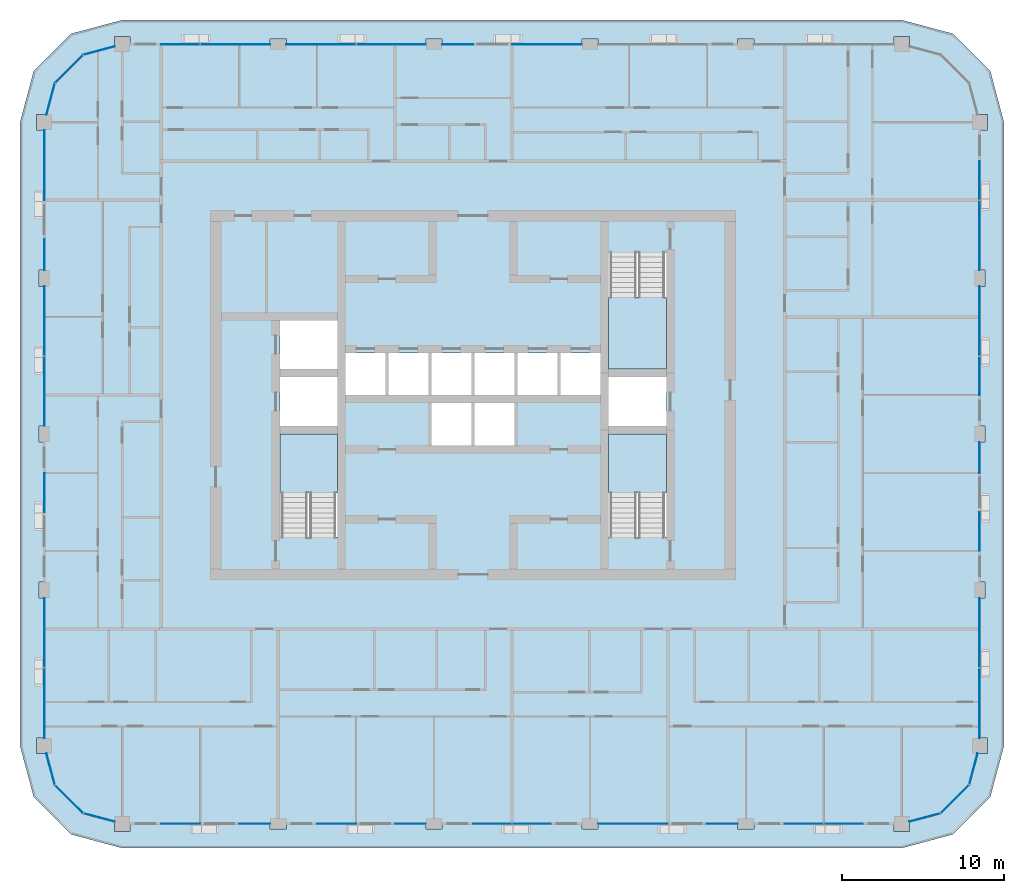
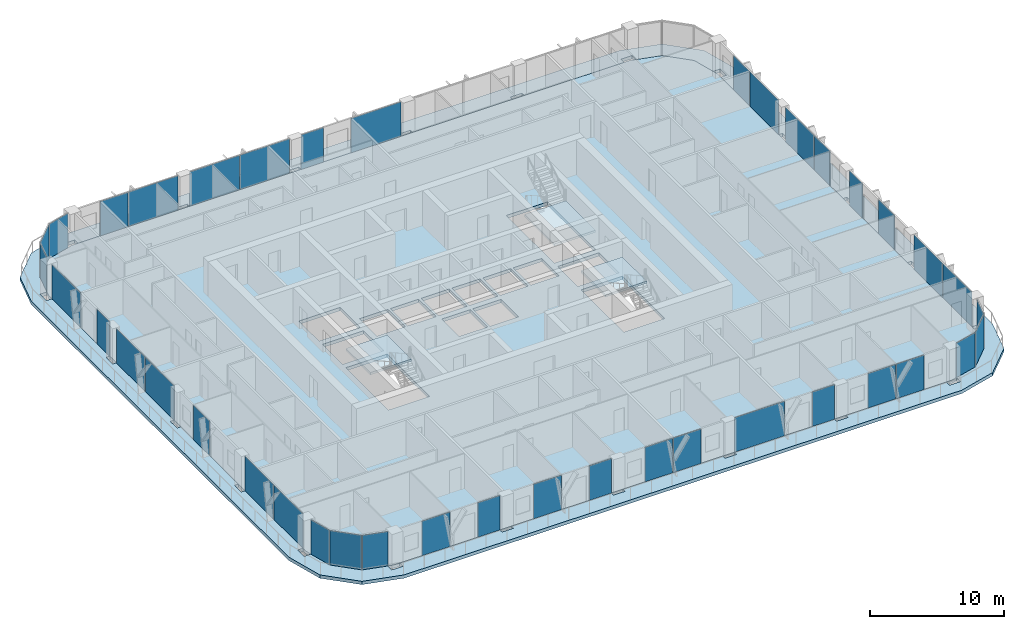
# One storey, part 7 of 21: 40 plates, 5 slabs, 22 elements without a shape of their own.
"""IFC4 building model written with IfcOpenShell, lengths in metres."""

from ifc_helpers import new_model, si_unit, direction, frame, origin, origin_2d, place, context, subcontext, project, spatial, polyline, rectangle, outline, extrude, material, layer, layer_set, type_object, element, aggregate, save


model = new_model("IFC4")

# Units and contexts
model_context = context("Model", 3, precision=1e-05, world=origin(), true_north=direction((0.0, 1.0)))
body_context = subcontext(model_context, "Body", "Model", "MODEL_VIEW")
ifc_project = project(units=[si_unit("LENGTHUNIT", "METRE"), si_unit("AREAUNIT", "SQUARE_METRE"), si_unit("VOLUMEUNIT", "CUBIC_METRE"), si_unit("PLANEANGLEUNIT", "RADIAN"), si_unit("MASSUNIT", "GRAM", prefix="KILO")], contexts=[model_context])

# Site, building, storey
site_placement = place(None, origin())
site = spatial("IfcSite", under=ifc_project, at=site_placement, CompositionType="ELEMENT")
building_placement = place(site_placement, origin())
building = spatial("IfcBuilding", under=site, at=building_placement, Name="Madar Terraces", CompositionType="ELEMENT")
storey_placement = place(building_placement, frame((0.0, 0.0, 185.89990234375)))
storey = spatial("IfcBuildingStorey", under=building, at=storey_placement, Name="L48", CompositionType="ELEMENT", Elevation=185.89990234375)

# Slabs
ifc_material_1 = material(Name="Concrete C50/60", Category="concrete")
ifc_layer_1 = layer(ifc_material_1, 0.300048828125)
ifc_layer_set_1 = layer_set([ifc_layer_1], Name="Balcony band 300")
slab_type_1 = type_object("IfcSlabType", Name="Balcony band 300", PredefinedType="FLOOR", material=ifc_layer_set_1)
slab_1_placement = place(storey_placement, frame((0.0, 0.0, -0.2998046875)))
element("IfcSlab", 1, at=slab_1_placement, inside=storey, type_object=slab_type_1, Name="Balcony band", PredefinedType="FLOOR", context=body_context, shape_type="SweptSolid", body=[
    extrude(outline(polyline([(9.60009765625, -1.5), (6.449951171875, -0.656005859375), (4.14404296875, 1.64990234375), (3.300048828125, 4.800048828125), (3.300048828125, 43.199951171875), (4.14404296875, 46.35009765625), (6.449951171875, 48.656005859375), (9.60009765625, 49.5), (57.60009765625, 49.5), (60.75, 48.656005859375), (63.055908203125, 46.35009765625), (63.89990234375, 43.199951171875), (63.89990234375, 4.800048828125), (63.055908203125, 1.64990234375), (60.75, -0.656005859375), (57.60009765625, -1.5), (9.60009765625, -1.5)]), holes=[polyline([(10.074951171875, -0.47509765625), (10.074951171875, 0.0), (18.699951171875, 0.0), (18.699951171875, -0.324951171875), (19.699951171875, -0.324951171875), (19.699951171875, 0.0), (28.300048828125, 0.0), (28.300048828125, -0.324951171875), (29.300048828125, -0.324951171875), (29.300048828125, 0.0), (37.89990234375, 0.0), (37.89990234375, -0.324951171875), (38.89990234375, -0.324951171875), (38.89990234375, 0.0), (47.5, 0.0), (47.5, -0.324951171875), (48.5, -0.324951171875), (48.5, 0.0), (57.125, 0.0), (57.125, -0.47509765625), (58.074951171875, -0.47509765625), (58.074951171875, 0.127197265625), (60.0, 0.64306640625), (61.7568359375, 2.39990234375), (62.272705078125, 4.324951171875), (62.875, 4.324951171875), (62.875, 5.27490234375), (62.39990234375, 5.27490234375), (62.39990234375, 13.89990234375), (62.72509765625, 13.89990234375), (62.72509765625, 14.89990234375), (62.39990234375, 14.89990234375), (62.39990234375, 23.5), (62.72509765625, 23.5), (62.72509765625, 24.5), (62.39990234375, 24.5), (62.39990234375, 33.10009765625), (62.72509765625, 33.10009765625), (62.72509765625, 34.10009765625), (62.39990234375, 34.10009765625), (62.39990234375, 42.72509765625), (62.875, 42.72509765625), (62.875, 43.675048828125), (62.272705078125, 43.675048828125), (61.7568359375, 45.60009765625), (60.0, 47.35693359375), (58.074951171875, 47.872802734375), (58.074951171875, 48.47509765625), (57.125, 48.47509765625), (57.125, 48.0), (48.5, 48.0), (48.5, 48.324951171875), (47.5, 48.324951171875), (47.5, 48.0), (38.89990234375, 48.0), (38.89990234375, 48.324951171875), (37.89990234375, 48.324951171875), (37.89990234375, 48.0), (29.300048828125, 48.0), (29.300048828125, 48.324951171875), (28.300048828125, 48.324951171875), (28.300048828125, 48.0), (19.699951171875, 48.0), (19.699951171875, 48.324951171875), (18.699951171875, 48.324951171875), (18.699951171875, 48.0), (10.074951171875, 48.0), (10.074951171875, 48.47509765625), (9.125, 48.47509765625), (9.125, 47.872802734375), (7.199951171875, 47.35693359375), (5.443115234375, 45.60009765625), (4.92724609375, 43.675048828125), (4.324951171875, 43.675048828125), (4.324951171875, 42.72509765625), (4.800048828125, 42.72509765625), (4.800048828125, 34.10009765625), (4.47509765625, 34.10009765625), (4.47509765625, 33.10009765625), (4.800048828125, 33.10009765625), (4.800048828125, 24.5), (4.47509765625, 24.5), (4.47509765625, 23.5), (4.800048828125, 23.5), (4.800048828125, 14.89990234375), (4.47509765625, 14.89990234375), (4.47509765625, 13.89990234375), (4.800048828125, 13.89990234375), (4.800048828125, 5.27490234375), (4.324951171875, 5.27490234375), (4.324951171875, 4.324951171875), (4.92724609375, 4.324951171875), (5.443115234375, 2.39990234375), (7.199951171875, 0.64306640625), (9.125, 0.127197265625), (9.125, -0.47509765625), (10.074951171875, -0.47509765625)])]), origin(), (0.0, 0.0, 1.0), 0.2998046875),
])
ifc_material_2 = material(Name="Concrete C50/60", Category="concrete")
ifc_layer_2 = layer(ifc_material_2, 0.300048828125)
ifc_layer_set_2 = layer_set([ifc_layer_2], Name="FS2 PT flat slab 300")
slab_type_2 = type_object("IfcSlabType", Name="FS2 PT flat slab 300", PredefinedType="FLOOR", material=ifc_layer_set_2)
slab_2_placement = place(storey_placement, frame((0.0, 0.0, -0.2998046875)))
element("IfcSlab", 2, at=slab_2_placement, inside=storey, type_object=slab_type_2, Name="Floor slab L48 (1)", PredefinedType="FLOOR", context=body_context, shape_type="SweptSolid", body=[
    extrude(outline(polyline([(57.60009765625, 0.0), (60.0, 0.64306640625), (61.7568359375, 2.39990234375), (62.39990234375, 4.800048828125), (62.39990234375, 43.199951171875), (61.7568359375, 45.60009765625), (60.0, 47.35693359375), (57.60009765625, 48.0), (9.60009765625, 48.0), (7.199951171875, 47.35693359375), (5.443115234375, 45.60009765625), (4.800048828125, 43.199951171875), (4.800048828125, 4.800048828125), (5.443115234375, 2.39990234375), (7.199951171875, 0.64306640625), (9.60009765625, 0.0), (57.60009765625, 0.0)]), holes=[polyline([(22.85009765625, 17.64990234375), (19.300048828125, 17.64990234375), (19.300048828125, 24.0), (22.85009765625, 24.0), (22.85009765625, 17.64990234375)]), polyline([(28.64990234375, 23.300048828125), (28.64990234375, 25.89990234375), (31.10009765625, 25.89990234375), (31.10009765625, 23.300048828125), (28.64990234375, 23.300048828125)]), polyline([(19.300048828125, 24.5), (19.300048828125, 27.5), (22.85009765625, 27.5), (22.85009765625, 24.5), (19.300048828125, 24.5)]), polyline([(23.35009765625, 26.39990234375), (23.35009765625, 29.0), (25.800048828125, 29.0), (25.800048828125, 26.39990234375), (23.35009765625, 26.39990234375)]), polyline([(26.0, 26.39990234375), (26.0, 29.0), (28.449951171875, 29.0), (28.449951171875, 26.39990234375), (26.0, 26.39990234375)]), polyline([(28.64990234375, 26.39990234375), (28.64990234375, 29.0), (31.10009765625, 29.0), (31.10009765625, 26.39990234375), (28.64990234375, 26.39990234375)]), polyline([(19.300048828125, 28.0), (19.300048828125, 31.0), (22.85009765625, 31.0), (22.85009765625, 28.0), (19.300048828125, 28.0)]), polyline([(43.10009765625, 17.64990234375), (39.550048828125, 17.64990234375), (39.550048828125, 24.0), (43.10009765625, 24.0), (43.10009765625, 17.64990234375)]), polyline([(31.300048828125, 23.300048828125), (31.300048828125, 25.89990234375), (33.75, 25.89990234375), (33.75, 23.300048828125), (31.300048828125, 23.300048828125)]), polyline([(39.550048828125, 24.5), (39.550048828125, 27.5), (43.10009765625, 27.5), (43.10009765625, 24.5), (39.550048828125, 24.5)]), polyline([(31.300048828125, 26.39990234375), (31.300048828125, 29.0), (33.75, 29.0), (33.75, 26.39990234375), (31.300048828125, 26.39990234375)]), polyline([(33.949951171875, 26.39990234375), (33.949951171875, 29.0), (36.39990234375, 29.0), (36.39990234375, 26.39990234375), (33.949951171875, 26.39990234375)]), polyline([(36.60009765625, 26.39990234375), (36.60009765625, 29.0), (39.050048828125, 29.0), (39.050048828125, 26.39990234375), (36.60009765625, 26.39990234375)]), polyline([(39.550048828125, 28.0), (39.550048828125, 35.14990234375), (43.10009765625, 35.14990234375), (43.10009765625, 28.0), (39.550048828125, 28.0)])]), origin(), (0.0, 0.0, 1.0), 0.2998046875),
])

# Curtain wall, plates
ifc_material_3 = material(Name="Glass, ceramic frit dark grey, with black aluminium frame", Category="aluminium")
ifc_layer_3 = layer(ifc_material_3, 0.199951171875)
ifc_layer_set_3 = layer_set([ifc_layer_3], Name="Facade curtain wall, fritted glass")
curtain_wall_type = type_object("IfcCurtainWallType", Name="Facade curtain wall, fritted glass", PredefinedType="NOTDEFINED", material=ifc_layer_set_3)
curtain_wall_1_placement = place(storey_placement, origin())
curtain_wall_1 = element("IfcCurtainWall", 3, at=curtain_wall_1_placement, inside=storey, type_object=curtain_wall_type, Name="Outer skin curtain wall south bay 1", PredefinedType="NOTDEFINED")
ifc_material_4 = material(Name="Glass, ceramic frit dark grey", Category="glass")
ifc_layer_4 = layer(ifc_material_4, 0.028076171875)
ifc_layer_set_4 = layer_set([ifc_layer_4], Name="Facade glass panel 28")
plate_type = type_object("IfcPlateType", Name="Facade glass panel 28", PredefinedType="CURTAIN_PANEL", material=ifc_layer_set_4)
plate_1_placement = place(storey_placement, frame((13.199951171875, 0.0, 0.0), z_axis=(0.0, 0.0, 1.0), x_axis=(1.0, 0.0, 0.0)))
plate_1 = element("IfcPlate", 4, at=plate_1_placement, type_object=plate_type, Name="Panel 1", PredefinedType="CURTAIN_PANEL", context=body_context, shape_type="SweptSolid", body=[
    extrude(rectangle(XDim=2.39990234375, YDim=0.028076171875, at=origin_2d()), origin(), (0.0, 0.0, 1.0), 3.139892578125),
])
plate_2_placement = place(storey_placement, frame((17.75, 0.0, 0.0), z_axis=(0.0, 0.0, 1.0), x_axis=(1.0, 0.0, 0.0)))
plate_2 = element("IfcPlate", 5, at=plate_2_placement, type_object=plate_type, Name="Panel 2", PredefinedType="CURTAIN_PANEL", context=body_context, shape_type="SweptSolid", body=[
    extrude(rectangle(XDim=1.89990234375, YDim=0.028076171875, at=origin_2d()), origin(), (0.0, 0.0, 1.0), 3.139892578125),
])
aggregate(curtain_wall_1, [plate_1, plate_2])

curtain_wall_2_placement = place(storey_placement, origin())
curtain_wall_2 = element("IfcCurtainWall", 6, at=curtain_wall_2_placement, inside=storey, type_object=curtain_wall_type, Name="Outer skin curtain wall south bay 2", PredefinedType="NOTDEFINED")
plate_3_placement = place(storey_placement, frame((22.800048828125, 0.0, 0.0), z_axis=(0.0, 0.0, 1.0), x_axis=(1.0, 0.0, 0.0)))
plate_3 = element("IfcPlate", 7, at=plate_3_placement, type_object=plate_type, Name="Panel 1", PredefinedType="CURTAIN_PANEL", context=body_context, shape_type="SweptSolid", body=[
    extrude(rectangle(XDim=2.39990234375, YDim=0.028076171875, at=origin_2d()), origin(), (0.0, 0.0, 1.0), 3.139892578125),
])
plate_4_placement = place(storey_placement, frame((27.35009765625, 0.0, 0.0), z_axis=(0.0, 0.0, 1.0), x_axis=(1.0, 0.0, 0.0)))
plate_4 = element("IfcPlate", 8, at=plate_4_placement, type_object=plate_type, Name="Panel 2", PredefinedType="CURTAIN_PANEL", context=body_context, shape_type="SweptSolid", body=[
    extrude(rectangle(XDim=1.89990234375, YDim=0.028076171875, at=origin_2d()), origin(), (0.0, 0.0, 1.0), 3.139892578125),
])
aggregate(curtain_wall_2, [plate_3, plate_4])

curtain_wall_3_placement = place(storey_placement, origin())
curtain_wall_3 = element("IfcCurtainWall", 9, at=curtain_wall_3_placement, inside=storey, type_object=curtain_wall_type, Name="Outer skin curtain wall south bay 3", PredefinedType="NOTDEFINED")
plate_5_placement = place(storey_placement, frame((32.385009765625, 0.0, 0.0), z_axis=(0.0, 0.0, 1.0), x_axis=(1.0, 0.0, 0.0)))
plate_5 = element("IfcPlate", 10, at=plate_5_placement, type_object=plate_type, Name="Panel 1", PredefinedType="CURTAIN_PANEL", context=body_context, shape_type="SweptSolid", body=[
    extrude(rectangle(XDim=2.3701171875, YDim=0.028076171875, at=origin_2d()), origin(), (0.0, 0.0, 1.0), 3.139892578125),
])
plate_6_placement = place(storey_placement, frame((34.81494140625, 0.0, 0.0), z_axis=(0.0, 0.0, 1.0), x_axis=(1.0, 0.0, 0.0)))
plate_6 = element("IfcPlate", 11, at=plate_6_placement, type_object=plate_type, Name="Panel 2", PredefinedType="CURTAIN_PANEL", context=body_context, shape_type="SweptSolid", body=[
    extrude(rectangle(XDim=2.3701171875, YDim=0.028076171875, at=origin_2d()), origin(), (0.0, 0.0, 1.0), 3.139892578125),
])
aggregate(curtain_wall_3, [plate_5, plate_6])

curtain_wall_4_placement = place(storey_placement, origin())
curtain_wall_4 = element("IfcCurtainWall", 12, at=curtain_wall_4_placement, inside=storey, type_object=curtain_wall_type, Name="Outer skin curtain wall south bay 4", PredefinedType="NOTDEFINED")
plate_7_placement = place(storey_placement, frame((41.050048828125, 0.0, 0.0), z_axis=(0.0, 0.0, 1.0), x_axis=(1.0, 0.0, 0.0)))
plate_7 = element("IfcPlate", 13, at=plate_7_placement, type_object=plate_type, Name="Panel 1", PredefinedType="CURTAIN_PANEL", context=body_context, shape_type="SweptSolid", body=[
    extrude(rectangle(XDim=4.300048828125, YDim=0.028076171875, at=origin_2d()), origin(), (0.0, 0.0, 1.0), 3.139892578125),
])
plate_8_placement = place(storey_placement, frame((46.550048828125, 0.0, 0.0), z_axis=(0.0, 0.0, 1.0), x_axis=(1.0, 0.0, 0.0)))
plate_8 = element("IfcPlate", 14, at=plate_8_placement, type_object=plate_type, Name="Panel 2", PredefinedType="CURTAIN_PANEL", context=body_context, shape_type="SweptSolid", body=[
    extrude(rectangle(XDim=1.89990234375, YDim=0.028076171875, at=origin_2d()), origin(), (0.0, 0.0, 1.0), 3.139892578125),
])
aggregate(curtain_wall_4, [plate_7, plate_8])

curtain_wall_5_placement = place(storey_placement, origin())
curtain_wall_5 = element("IfcCurtainWall", 15, at=curtain_wall_5_placement, inside=storey, type_object=curtain_wall_type, Name="Outer skin curtain wall south bay 5", PredefinedType="NOTDEFINED")
plate_9_placement = place(storey_placement, frame((51.5849609375, 0.0, 0.0), z_axis=(0.0, 0.0, 1.0), x_axis=(1.0, 0.0, 0.0)))
plate_9 = element("IfcPlate", 16, at=plate_9_placement, type_object=plate_type, Name="Panel 1", PredefinedType="CURTAIN_PANEL", context=body_context, shape_type="SweptSolid", body=[
    extrude(rectangle(XDim=2.3701171875, YDim=0.028076171875, at=origin_2d()), origin(), (0.0, 0.0, 1.0), 3.139892578125),
])
plate_10_placement = place(storey_placement, frame((54.014892578125, 0.0, 0.0), z_axis=(0.0, 0.0, 1.0), x_axis=(1.0, 0.0, 0.0)))
plate_10 = element("IfcPlate", 17, at=plate_10_placement, type_object=plate_type, Name="Panel 2", PredefinedType="CURTAIN_PANEL", context=body_context, shape_type="SweptSolid", body=[
    extrude(rectangle(XDim=2.3701171875, YDim=0.028076171875, at=origin_2d()), origin(), (0.0, 0.0, 1.0), 3.139892578125),
])
aggregate(curtain_wall_5, [plate_9, plate_10])

curtain_wall_6_placement = place(storey_placement, origin())
curtain_wall_6 = element("IfcCurtainWall", 18, at=curtain_wall_6_placement, inside=storey, type_object=curtain_wall_type, Name="Outer skin curtain wall east bay 1", PredefinedType="NOTDEFINED")
plate_11_placement = place(storey_placement, frame((62.39990234375, 7.422607421875, 0.0), z_axis=(0.0, 0.0, 1.0), x_axis=(0.0, 1.0, 0.0)))
plate_11 = element("IfcPlate", 19, at=plate_11_placement, type_object=plate_type, Name="Panel 1", PredefinedType="CURTAIN_PANEL", context=body_context, shape_type="SweptSolid", body=[
    extrude(rectangle(XDim=4.294921875, YDim=0.028076171875, at=origin_2d()), origin(), (0.0, 0.0, 1.0), 3.139892578125),
])
plate_12_placement = place(storey_placement, frame((62.39990234375, 11.764892578125, 0.0), z_axis=(0.0, 0.0, 1.0), x_axis=(0.0, 1.0, 0.0)))
plate_12 = element("IfcPlate", 20, at=plate_12_placement, type_object=plate_type, Name="Panel 2", PredefinedType="CURTAIN_PANEL", context=body_context, shape_type="SweptSolid", body=[
    extrude(rectangle(XDim=4.27001953125, YDim=0.028076171875, at=origin_2d()), origin(), (0.0, 0.0, 1.0), 3.139892578125),
])
aggregate(curtain_wall_6, [plate_11, plate_12])

curtain_wall_7_placement = place(storey_placement, origin())
curtain_wall_7 = element("IfcCurtainWall", 21, at=curtain_wall_7_placement, inside=storey, type_object=curtain_wall_type, Name="Outer skin curtain wall east bay 2", PredefinedType="NOTDEFINED")
plate_13_placement = place(storey_placement, frame((62.39990234375, 18.0, 0.0), z_axis=(0.0, 0.0, 1.0), x_axis=(0.0, 1.0, 0.0)))
plate_13 = element("IfcPlate", 22, at=plate_13_placement, type_object=plate_type, Name="Panel 1", PredefinedType="CURTAIN_PANEL", context=body_context, shape_type="SweptSolid", body=[
    extrude(rectangle(XDim=2.39990234375, YDim=0.028076171875, at=origin_2d()), origin(), (0.0, 0.0, 1.0), 3.139892578125),
])
plate_14_placement = place(storey_placement, frame((62.39990234375, 22.550048828125, 0.0), z_axis=(0.0, 0.0, 1.0), x_axis=(0.0, 1.0, 0.0)))
plate_14 = element("IfcPlate", 23, at=plate_14_placement, type_object=plate_type, Name="Panel 2", PredefinedType="CURTAIN_PANEL", context=body_context, shape_type="SweptSolid", body=[
    extrude(rectangle(XDim=1.89990234375, YDim=0.028076171875, at=origin_2d()), origin(), (0.0, 0.0, 1.0), 3.139892578125),
])
aggregate(curtain_wall_7, [plate_13, plate_14])

curtain_wall_8_placement = place(storey_placement, origin())
curtain_wall_8 = element("IfcCurtainWall", 24, at=curtain_wall_8_placement, inside=storey, type_object=curtain_wall_type, Name="Outer skin curtain wall east bay 3", PredefinedType="NOTDEFINED")
plate_15_placement = place(storey_placement, frame((62.39990234375, 27.5849609375, 0.0), z_axis=(0.0, 0.0, 1.0), x_axis=(0.0, 1.0, 0.0)))
plate_15 = element("IfcPlate", 25, at=plate_15_placement, type_object=plate_type, Name="Panel 1", PredefinedType="CURTAIN_PANEL", context=body_context, shape_type="SweptSolid", body=[
    extrude(rectangle(XDim=2.3701171875, YDim=0.028076171875, at=origin_2d()), origin(), (0.0, 0.0, 1.0), 3.139892578125),
])
plate_16_placement = place(storey_placement, frame((62.39990234375, 30.965087890625, 0.0), z_axis=(0.0, 0.0, 1.0), x_axis=(0.0, 1.0, 0.0)))
plate_16 = element("IfcPlate", 26, at=plate_16_placement, type_object=plate_type, Name="Panel 2", PredefinedType="CURTAIN_PANEL", context=body_context, shape_type="SweptSolid", body=[
    extrude(rectangle(XDim=4.27001953125, YDim=0.028076171875, at=origin_2d()), origin(), (0.0, 0.0, 1.0), 3.139892578125),
])
aggregate(curtain_wall_8, [plate_15, plate_16])

curtain_wall_9_placement = place(storey_placement, origin())
curtain_wall_9 = element("IfcCurtainWall", 27, at=curtain_wall_9_placement, inside=storey, type_object=curtain_wall_type, Name="Outer skin curtain wall east bay 4", PredefinedType="NOTDEFINED")
plate_17_placement = place(storey_placement, frame((62.39990234375, 36.235107421875, 0.0), z_axis=(0.0, 0.0, 1.0), x_axis=(0.0, 1.0, 0.0)))
plate_17 = element("IfcPlate", 28, at=plate_17_placement, type_object=plate_type, Name="Panel 1", PredefinedType="CURTAIN_PANEL", context=body_context, shape_type="SweptSolid", body=[
    extrude(rectangle(XDim=4.27001953125, YDim=0.028076171875, at=origin_2d()), origin(), (0.0, 0.0, 1.0), 3.139892578125),
])
plate_18_placement = place(storey_placement, frame((62.39990234375, 39.614990234375, 0.0), z_axis=(0.0, 0.0, 1.0), x_axis=(0.0, 1.0, 0.0)))
plate_18 = element("IfcPlate", 29, at=plate_18_placement, type_object=plate_type, Name="Panel 2", PredefinedType="CURTAIN_PANEL", context=body_context, shape_type="SweptSolid", body=[
    extrude(rectangle(XDim=2.3701171875, YDim=0.028076171875, at=origin_2d()), origin(), (0.0, 0.0, 1.0), 3.139892578125),
])
aggregate(curtain_wall_9, [plate_17, plate_18])

curtain_wall_10_placement = place(storey_placement, origin())
curtain_wall_10 = element("IfcCurtainWall", 30, at=curtain_wall_10_placement, inside=storey, type_object=curtain_wall_type, Name="Outer skin curtain wall north bay 3", PredefinedType="NOTDEFINED")
plate_19_placement = place(storey_placement, frame((35.75, 48.0, 0.0), z_axis=(0.0, 0.0, 1.0), x_axis=(-1.0, 0.0, 0.0)))
plate_19 = element("IfcPlate", 31, at=plate_19_placement, type_object=plate_type, Name="Panel 1", PredefinedType="CURTAIN_PANEL", context=body_context, shape_type="SweptSolid", body=[
    extrude(rectangle(XDim=4.300048828125, YDim=0.028076171875, at=origin_2d()), origin(), (0.0, 0.0, 1.0), 3.139892578125),
])
plate_20_placement = place(storey_placement, frame((30.25, 48.0, 0.0), z_axis=(0.0, 0.0, 1.0), x_axis=(-1.0, 0.0, 0.0)))
plate_20 = element("IfcPlate", 32, at=plate_20_placement, type_object=plate_type, Name="Panel 2", PredefinedType="CURTAIN_PANEL", context=body_context, shape_type="SweptSolid", body=[
    extrude(rectangle(XDim=1.89990234375, YDim=0.028076171875, at=origin_2d()), origin(), (0.0, 0.0, 1.0), 3.139892578125),
])
aggregate(curtain_wall_10, [plate_19, plate_20])

curtain_wall_11_placement = place(storey_placement, origin())
curtain_wall_11 = element("IfcCurtainWall", 33, at=curtain_wall_11_placement, inside=storey, type_object=curtain_wall_type, Name="Outer skin curtain wall north bay 4", PredefinedType="NOTDEFINED")
plate_21_placement = place(storey_placement, frame((26.1650390625, 48.0, 0.0), z_axis=(0.0, 0.0, 1.0), x_axis=(-1.0, 0.0, 0.0)))
plate_21 = element("IfcPlate", 34, at=plate_21_placement, type_object=plate_type, Name="Panel 1", PredefinedType="CURTAIN_PANEL", context=body_context, shape_type="SweptSolid", body=[
    extrude(rectangle(XDim=4.27001953125, YDim=0.028076171875, at=origin_2d()), origin(), (0.0, 0.0, 1.0), 3.139892578125),
])
plate_22_placement = place(storey_placement, frame((21.8349609375, 48.0, 0.0), z_axis=(0.0, 0.0, 1.0), x_axis=(-1.0, 0.0, 0.0)))
plate_22 = element("IfcPlate", 35, at=plate_22_placement, type_object=plate_type, Name="Panel 2", PredefinedType="CURTAIN_PANEL", context=body_context, shape_type="SweptSolid", body=[
    extrude(rectangle(XDim=4.27001953125, YDim=0.028076171875, at=origin_2d()), origin(), (0.0, 0.0, 1.0), 3.139892578125),
])
aggregate(curtain_wall_11, [plate_21, plate_22])

curtain_wall_12_placement = place(storey_placement, origin())
curtain_wall_12 = element("IfcCurtainWall", 36, at=curtain_wall_12_placement, inside=storey, type_object=curtain_wall_type, Name="Outer skin curtain wall north bay 5", PredefinedType="NOTDEFINED")
plate_23_placement = place(storey_placement, frame((16.56494140625, 48.0, 0.0), z_axis=(0.0, 0.0, 1.0), x_axis=(-1.0, 0.0, 0.0)))
plate_23 = element("IfcPlate", 37, at=plate_23_placement, type_object=plate_type, Name="Panel 1", PredefinedType="CURTAIN_PANEL", context=body_context, shape_type="SweptSolid", body=[
    extrude(rectangle(XDim=4.27001953125, YDim=0.028076171875, at=origin_2d()), origin(), (0.0, 0.0, 1.0), 3.139892578125),
])
plate_24_placement = place(storey_placement, frame((13.18505859375, 48.0, 0.0), z_axis=(0.0, 0.0, 1.0), x_axis=(-1.0, 0.0, 0.0)))
plate_24 = element("IfcPlate", 38, at=plate_24_placement, type_object=plate_type, Name="Panel 2", PredefinedType="CURTAIN_PANEL", context=body_context, shape_type="SweptSolid", body=[
    extrude(rectangle(XDim=2.3701171875, YDim=0.028076171875, at=origin_2d()), origin(), (0.0, 0.0, 1.0), 3.139892578125),
])
aggregate(curtain_wall_12, [plate_23, plate_24])

curtain_wall_13_placement = place(storey_placement, origin())
curtain_wall_13 = element("IfcCurtainWall", 39, at=curtain_wall_13_placement, inside=storey, type_object=curtain_wall_type, Name="Outer skin curtain wall west bay 1", PredefinedType="NOTDEFINED")
plate_25_placement = place(storey_placement, frame((4.800048828125, 40.5625, 0.0), z_axis=(0.0, 0.0, 1.0), x_axis=(0.0, -1.0, 0.0)))
plate_25 = element("IfcPlate", 40, at=plate_25_placement, type_object=plate_type, Name="Panel 1", PredefinedType="CURTAIN_PANEL", context=body_context, shape_type="SweptSolid", body=[
    extrude(rectangle(XDim=4.324951171875, YDim=0.028076171875, at=origin_2d()), origin(), (0.0, 0.0, 1.0), 3.139892578125),
])
plate_26_placement = place(storey_placement, frame((4.800048828125, 35.050048828125, 0.0), z_axis=(0.0, 0.0, 1.0), x_axis=(0.0, -1.0, 0.0)))
plate_26 = element("IfcPlate", 41, at=plate_26_placement, type_object=plate_type, Name="Panel 2", PredefinedType="CURTAIN_PANEL", context=body_context, shape_type="SweptSolid", body=[
    extrude(rectangle(XDim=1.89990234375, YDim=0.028076171875, at=origin_2d()), origin(), (0.0, 0.0, 1.0), 3.139892578125),
])
aggregate(curtain_wall_13, [plate_25, plate_26])

curtain_wall_14_placement = place(storey_placement, origin())
curtain_wall_14 = element("IfcCurtainWall", 42, at=curtain_wall_14_placement, inside=storey, type_object=curtain_wall_type, Name="Outer skin curtain wall west bay 2", PredefinedType="NOTDEFINED")
plate_27_placement = place(storey_placement, frame((4.800048828125, 30.965087890625, 0.0), z_axis=(0.0, 0.0, 1.0), x_axis=(0.0, -1.0, 0.0)))
plate_27 = element("IfcPlate", 43, at=plate_27_placement, type_object=plate_type, Name="Panel 1", PredefinedType="CURTAIN_PANEL", context=body_context, shape_type="SweptSolid", body=[
    extrude(rectangle(XDim=4.27001953125, YDim=0.028076171875, at=origin_2d()), origin(), (0.0, 0.0, 1.0), 3.139892578125),
])
plate_28_placement = place(storey_placement, frame((4.800048828125, 26.635009765625, 0.0), z_axis=(0.0, 0.0, 1.0), x_axis=(0.0, -1.0, 0.0)))
plate_28 = element("IfcPlate", 44, at=plate_28_placement, type_object=plate_type, Name="Panel 2", PredefinedType="CURTAIN_PANEL", context=body_context, shape_type="SweptSolid", body=[
    extrude(rectangle(XDim=4.27001953125, YDim=0.028076171875, at=origin_2d()), origin(), (0.0, 0.0, 1.0), 3.139892578125),
])
aggregate(curtain_wall_14, [plate_27, plate_28])

# Curtain wall, plate
curtain_wall_15_placement = place(storey_placement, origin())
curtain_wall_15 = element("IfcCurtainWall", 45, at=curtain_wall_15_placement, inside=storey, type_object=curtain_wall_type, Name="Outer skin curtain wall west bay 3", PredefinedType="NOTDEFINED")
plate_29_placement = place(storey_placement, frame((4.800048828125, 20.39990234375, 0.0), z_axis=(0.0, 0.0, 1.0), x_axis=(0.0, -1.0, 0.0)))
plate_29 = element("IfcPlate", 46, at=plate_29_placement, type_object=plate_type, Name="Panel 1", PredefinedType="CURTAIN_PANEL", context=body_context, shape_type="SweptSolid", body=[
    extrude(rectangle(XDim=2.39990234375, YDim=0.028076171875, at=origin_2d()), origin(), (0.0, 0.0, 1.0), 3.139892578125),
])
aggregate(curtain_wall_15, [plate_29])

# Curtain wall, plates
curtain_wall_16_placement = place(storey_placement, origin())
curtain_wall_16 = element("IfcCurtainWall", 47, at=curtain_wall_16_placement, inside=storey, type_object=curtain_wall_type, Name="Outer skin curtain wall west bay 4", PredefinedType="NOTDEFINED")
plate_30_placement = place(storey_placement, frame((4.800048828125, 11.764892578125, 0.0), z_axis=(0.0, 0.0, 1.0), x_axis=(0.0, -1.0, 0.0)))
plate_30 = element("IfcPlate", 48, at=plate_30_placement, type_object=plate_type, Name="Panel 1", PredefinedType="CURTAIN_PANEL", context=body_context, shape_type="SweptSolid", body=[
    extrude(rectangle(XDim=4.27001953125, YDim=0.028076171875, at=origin_2d()), origin(), (0.0, 0.0, 1.0), 3.139892578125),
])
plate_31_placement = place(storey_placement, frame((4.800048828125, 7.422607421875, 0.0), z_axis=(0.0, 0.0, 1.0), x_axis=(0.0, -1.0, 0.0)))
plate_31 = element("IfcPlate", 49, at=plate_31_placement, type_object=plate_type, Name="Panel 2", PredefinedType="CURTAIN_PANEL", context=body_context, shape_type="SweptSolid", body=[
    extrude(rectangle(XDim=4.294921875, YDim=0.028076171875, at=origin_2d()), origin(), (0.0, 0.0, 1.0), 3.139892578125),
])
aggregate(curtain_wall_16, [plate_30, plate_31])

curtain_wall_17_placement = place(storey_placement, origin())
curtain_wall_17 = element("IfcCurtainWall", 50, at=curtain_wall_17_placement, inside=storey, type_object=curtain_wall_type, Name="Outer skin curtain wall south-east corner", PredefinedType="NOTDEFINED")
plate_32_placement = place(storey_placement, frame((59.02294921875, 0.38134765625, 0.0), z_axis=(0.0, 0.0, 1.0), x_axis=(0.965925832509, 0.258819021888, 0.0)))
plate_32 = element("IfcPlate", 51, at=plate_32_placement, type_object=plate_type, Name="Panel 1", PredefinedType="CURTAIN_PANEL", context=body_context, shape_type="SweptSolid", body=[
    extrude(rectangle(XDim=1.962890625, YDim=0.028076171875, at=origin_2d()), origin(), (0.0, 0.0, 1.0), 3.139892578125),
])
plate_33_placement = place(storey_placement, frame((60.87841796875, 1.521484375, 0.0), z_axis=(0.0, 0.0, 1.0), x_axis=(0.707106781187, 0.707106781187, 0.0)))
plate_33 = element("IfcPlate", 52, at=plate_33_placement, type_object=plate_type, Name="Panel 2", PredefinedType="CURTAIN_PANEL", context=body_context, shape_type="SweptSolid", body=[
    extrude(rectangle(XDim=2.424560546875, YDim=0.028076171875, at=origin_2d()), origin(), (0.0, 0.0, 1.0), 3.139892578125),
])
plate_34_placement = place(storey_placement, frame((62.018798828125, 3.376953125, 0.0), z_axis=(0.0, 0.0, 1.0), x_axis=(0.258819021888, 0.965925832509, 0.0)))
plate_34 = element("IfcPlate", 53, at=plate_34_placement, type_object=plate_type, Name="Panel 3", PredefinedType="CURTAIN_PANEL", context=body_context, shape_type="SweptSolid", body=[
    extrude(rectangle(XDim=1.962890625, YDim=0.028076171875, at=origin_2d()), origin(), (0.0, 0.0, 1.0), 3.139892578125),
])
aggregate(curtain_wall_17, [plate_32, plate_33, plate_34])

curtain_wall_18_placement = place(storey_placement, origin())
curtain_wall_18 = element("IfcCurtainWall", 54, at=curtain_wall_18_placement, inside=storey, type_object=curtain_wall_type, Name="Outer skin curtain wall north-west corner", PredefinedType="NOTDEFINED")
plate_35_placement = place(storey_placement, frame((8.177001953125, 47.61865234375, 0.0), z_axis=(0.0, 0.0, 1.0), x_axis=(-0.965925832509, -0.258819021888, 0.0)))
plate_35 = element("IfcPlate", 55, at=plate_35_placement, type_object=plate_type, Name="Panel 1", PredefinedType="CURTAIN_PANEL", context=body_context, shape_type="SweptSolid", body=[
    extrude(rectangle(XDim=1.962890625, YDim=0.028076171875, at=origin_2d()), origin(), (0.0, 0.0, 1.0), 3.139892578125),
])
plate_36_placement = place(storey_placement, frame((6.321533203125, 46.478515625, 0.0), z_axis=(0.0, 0.0, 1.0), x_axis=(-0.707106781187, -0.707106781187, 0.0)))
plate_36 = element("IfcPlate", 56, at=plate_36_placement, type_object=plate_type, Name="Panel 2", PredefinedType="CURTAIN_PANEL", context=body_context, shape_type="SweptSolid", body=[
    extrude(rectangle(XDim=2.424560546875, YDim=0.028076171875, at=origin_2d()), origin(), (0.0, 0.0, 1.0), 3.139892578125),
])
plate_37_placement = place(storey_placement, frame((5.181396484375, 44.623046875, 0.0), z_axis=(0.0, 0.0, 1.0), x_axis=(-0.258819021888, -0.965925832509, 0.0)))
plate_37 = element("IfcPlate", 57, at=plate_37_placement, type_object=plate_type, Name="Panel 3", PredefinedType="CURTAIN_PANEL", context=body_context, shape_type="SweptSolid", body=[
    extrude(rectangle(XDim=1.962890625, YDim=0.028076171875, at=origin_2d()), origin(), (0.0, 0.0, 1.0), 3.139892578125),
])
aggregate(curtain_wall_18, [plate_35, plate_36, plate_37])

curtain_wall_19_placement = place(storey_placement, origin())
curtain_wall_19 = element("IfcCurtainWall", 58, at=curtain_wall_19_placement, inside=storey, type_object=curtain_wall_type, Name="Outer skin curtain wall south-west corner", PredefinedType="NOTDEFINED")
plate_38_placement = place(storey_placement, frame((5.181396484375, 3.376953125, 0.0), z_axis=(0.0, 0.0, 1.0), x_axis=(0.258819021888, -0.965925832509, 0.0)))
plate_38 = element("IfcPlate", 59, at=plate_38_placement, type_object=plate_type, Name="Panel 1", PredefinedType="CURTAIN_PANEL", context=body_context, shape_type="SweptSolid", body=[
    extrude(rectangle(XDim=1.962890625, YDim=0.028076171875, at=origin_2d()), origin(), (0.0, 0.0, 1.0), 3.139892578125),
])
plate_39_placement = place(storey_placement, frame((6.321533203125, 1.521484375, 0.0), z_axis=(0.0, 0.0, 1.0), x_axis=(0.707106781187, -0.707106781187, 0.0)))
plate_39 = element("IfcPlate", 60, at=plate_39_placement, type_object=plate_type, Name="Panel 2", PredefinedType="CURTAIN_PANEL", context=body_context, shape_type="SweptSolid", body=[
    extrude(rectangle(XDim=2.424560546875, YDim=0.028076171875, at=origin_2d()), origin(), (0.0, 0.0, 1.0), 3.139892578125),
])
plate_40_placement = place(storey_placement, frame((8.177001953125, 0.38134765625, 0.0), z_axis=(0.0, 0.0, 1.0), x_axis=(0.965925832509, -0.258819021888, 0.0)))
plate_40 = element("IfcPlate", 61, at=plate_40_placement, type_object=plate_type, Name="Panel 3", PredefinedType="CURTAIN_PANEL", context=body_context, shape_type="SweptSolid", body=[
    extrude(rectangle(XDim=1.962890625, YDim=0.028076171875, at=origin_2d()), origin(), (0.0, 0.0, 1.0), 3.139892578125),
])
aggregate(curtain_wall_19, [plate_38, plate_39, plate_40])

# Stair, slab
ifc_material_5 = material(Name="Concrete C50/60", Category="concrete")
stair_type_1 = type_object("IfcStairType", Name="Stair ST1 protected exit", PredefinedType="HALF_TURN_STAIR", material=ifc_material_5)
stair_1_placement = place(storey_placement, origin())
stair_1 = element("IfcStair", 62, at=stair_1_placement, inside=storey, type_object=stair_type_1, Name="L48 Protected Exit Stair ST1", PredefinedType="HALF_TURN_STAIR")
ifc_material_6 = material(Name="Concrete C50/60", Category="concrete")
ifc_layer_5 = layer(ifc_material_6, 0.199951171875)
ifc_layer_set_5 = layer_set([ifc_layer_5], Name="Stair landing 200, top +1.75")
slab_type_3 = type_object("IfcSlabType", Name="Stair landing 200, top +1.75", PredefinedType="LANDING", material=ifc_layer_set_5)
slab_3_placement = place(storey_placement, frame((0.0, 0.0, 1.550048828125)))
slab_3 = element("IfcSlab", 63, at=slab_3_placement, type_object=slab_type_3, Name="ST1 landing 1", PredefinedType="LANDING", context=body_context, shape_type="SweptSolid", body=[
    extrude(outline(polyline([(19.300048828125, 20.360107421875), (22.85009765625, 20.360107421875), (22.85009765625, 24.0), (19.300048828125, 24.0), (19.300048828125, 20.360107421875)])), origin(), (0.0, 0.0, 1.0), 0.199951171875),
])
aggregate(stair_1, [slab_3])

ifc_material_7 = material(Name="Concrete C50/60", Category="concrete")
stair_type_2 = type_object("IfcStairType", Name="Stair ST2 protected exit", PredefinedType="HALF_TURN_STAIR", material=ifc_material_7)
stair_2_placement = place(storey_placement, origin())
stair_2 = element("IfcStair", 64, at=stair_2_placement, inside=storey, type_object=stair_type_2, Name="L48 Protected Exit Stair ST2", PredefinedType="HALF_TURN_STAIR")
slab_4_placement = place(storey_placement, frame((0.0, 0.0, 1.550048828125)))
slab_4 = element("IfcSlab", 65, at=slab_4_placement, type_object=slab_type_3, Name="ST2 landing 1", PredefinedType="LANDING", context=body_context, shape_type="SweptSolid", body=[
    extrude(outline(polyline([(39.550048828125, 28.0), (43.10009765625, 28.0), (43.10009765625, 32.43994140625), (39.550048828125, 32.43994140625), (39.550048828125, 28.0)])), origin(), (0.0, 0.0, 1.0), 0.199951171875),
])
aggregate(stair_2, [slab_4])

ifc_material_8 = material(Name="Concrete C50/60", Category="concrete")
stair_type_3 = type_object("IfcStairType", Name="Stair ST3 protected exit", PredefinedType="HALF_TURN_STAIR", material=ifc_material_8)
stair_3_placement = place(storey_placement, origin())
stair_3 = element("IfcStair", 66, at=stair_3_placement, inside=storey, type_object=stair_type_3, Name="L48 Protected Exit Stair ST3", PredefinedType="HALF_TURN_STAIR")
slab_5_placement = place(storey_placement, frame((0.0, 0.0, 1.550048828125)))
slab_5 = element("IfcSlab", 67, at=slab_5_placement, type_object=slab_type_3, Name="ST3 landing 1", PredefinedType="LANDING", context=body_context, shape_type="SweptSolid", body=[
    extrude(outline(polyline([(39.550048828125, 20.360107421875), (43.10009765625, 20.360107421875), (43.10009765625, 24.0), (39.550048828125, 24.0), (39.550048828125, 20.360107421875)])), origin(), (0.0, 0.0, 1.0), 0.199951171875),
])
aggregate(stair_3, [slab_5])

save(model, "model.ifc")
